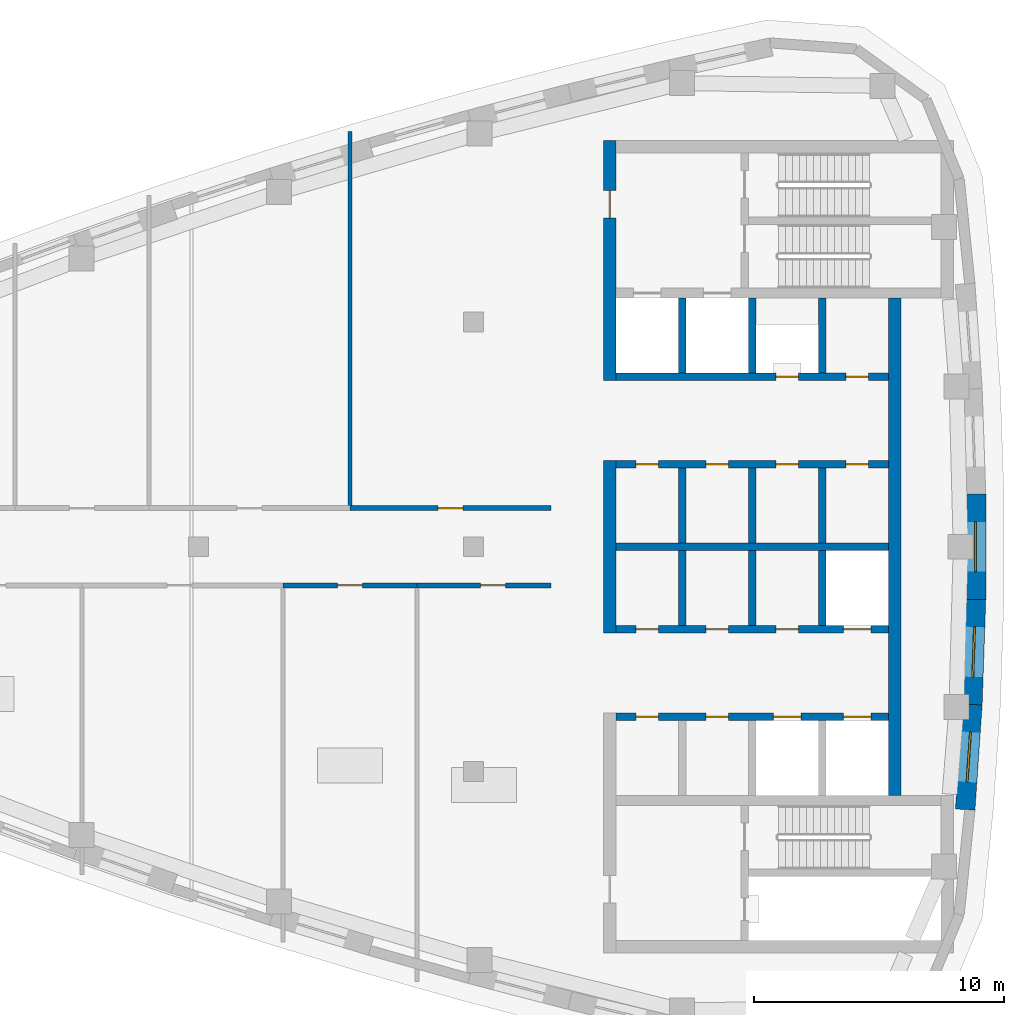
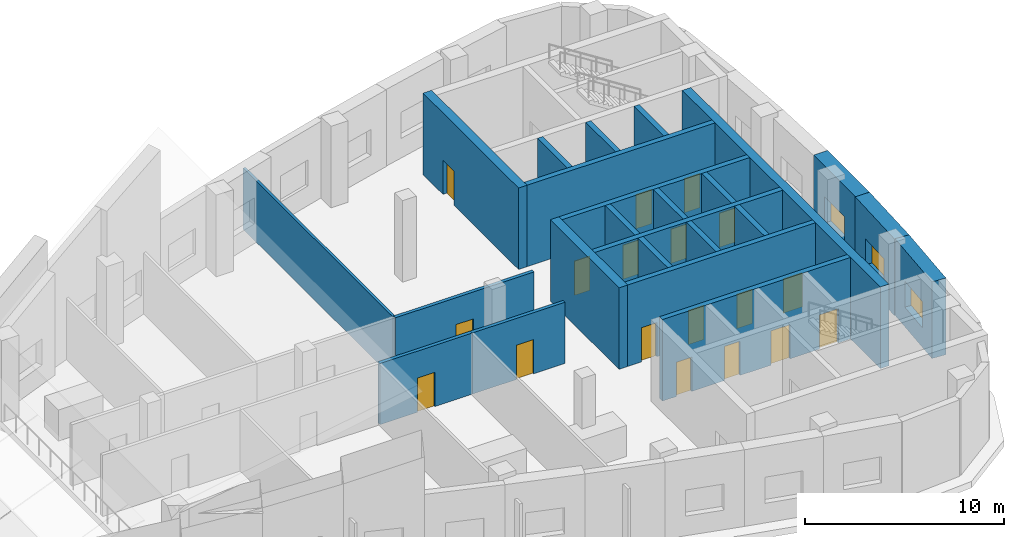
# One storey, part 3 of 8: 24 walls, 18 doors, 3 windows, 21 openings.
"""IFC4 building model written with IfcOpenShell, lengths in metres."""

from ifc_helpers import new_model, si_unit, direction, frame, frame_2d, origin, place, context, subcontext, project, spatial, rectangle, extrude, material, layer, layer_set, type_object, element, fill, save


model = new_model("IFC4")

# Units and contexts
model_context = context("Model", 3, precision=1e-05, world=origin(), true_north=direction((0.0, 1.0)))
body_context = subcontext(model_context, "Body", "Model", "MODEL_VIEW")
ifc_project = project(units=[si_unit("LENGTHUNIT", "METRE"), si_unit("AREAUNIT", "SQUARE_METRE"), si_unit("VOLUMEUNIT", "CUBIC_METRE"), si_unit("PLANEANGLEUNIT", "RADIAN"), si_unit("MASSUNIT", "GRAM", prefix="KILO")], contexts=[model_context])

# Site, building, storey
site_placement = place(None, origin())
site = spatial("IfcSite", under=ifc_project, at=site_placement, CompositionType="ELEMENT")
building_placement = place(site_placement, origin())
building = spatial("IfcBuilding", under=site, at=building_placement, Name="Ostrand Prow Hotel Tower", CompositionType="ELEMENT")
storey_placement = place(building_placement, frame((0.0, 0.0, 327.39990234375)))
storey = spatial("IfcBuildingStorey", under=building, at=storey_placement, Name="C5", CompositionType="ELEMENT", Elevation=327.39990234375)

# Wall
ifc_material_1 = material(Name="Concrete C40/50", Category="concrete")
ifc_layer_1 = layer(ifc_material_1, 0.300048828125)
ifc_layer_set_1 = layer_set([ifc_layer_1], Name="Concrete C40/50")
wall_type_1 = type_object("IfcWallType", Name="Core wall 300 C40/50", PredefinedType="SHEAR", material=ifc_layer_set_1)
wall_1_placement = place(storey_placement, frame((50.699951171875, 0.0, 0.0), z_axis=(0.0, 0.0, 1.0), x_axis=(1.0, 0.0, 0.0)))
element("IfcWall", 1, at=wall_1_placement, inside=storey, type_object=wall_type_1, Name="Core wall PW-C", PredefinedType="SHEAR", context=body_context, shape_type="SweptSolid", body=[
    extrude(rectangle(XDim=10.900146484375, YDim=0.300048828125, at=frame_2d((5.4501953125, 0.0))), origin(), (0.0, 0.0, 1.0), 5.0),
])

# Wall, openings, doors
wall_2_placement = place(storey_placement, frame((50.699951171875, 3.300048828125, 0.0), z_axis=(0.0, 0.0, 1.0), x_axis=(1.0, 0.0, 0.0)))
wall_2 = element("IfcWall", 2, at=wall_2_placement, inside=storey, type_object=wall_type_1, Name="Core wall PW-L1-N", PredefinedType="SHEAR", context=body_context, shape_type="SweptSolid", body=[
    extrude(rectangle(XDim=10.900146484375, YDim=0.300048828125, at=frame_2d((5.4501953125, 0.0))), origin(), (0.0, 0.0, 1.0), 5.0),
])
opening_1_placement = place(wall_2_placement, frame((0.800048828125, 0.0, 0.0)))
opening_1 = element("IfcOpeningElement", 3, at=opening_1_placement, cuts=wall_2, Name="Opening FD2", PredefinedType="OPENING", context=body_context, shape_type="SweptSolid", body=[
    extrude(rectangle(XDim=0.89990234375, YDim=2.10009765625, at=frame_2d((0.449951171875, 1.050048828125))), frame((0.0, 0.159912109375, 0.0), z_axis=(0.0, -1.0, 0.0), x_axis=(1.0, 0.0, 0.0)), (0.0, 0.0, 1.0), 0.320068359375),
])
opening_2_placement = place(wall_2_placement, frame((3.60009765625, 0.0, 0.0)))
opening_2 = element("IfcOpeningElement", 4, at=opening_2_placement, cuts=wall_2, Name="Opening FD2", PredefinedType="OPENING", context=body_context, shape_type="SweptSolid", body=[
    extrude(rectangle(XDim=0.89990234375, YDim=2.10009765625, at=frame_2d((0.449951171875, 1.050048828125))), frame((0.0, 0.159912109375, 0.0), z_axis=(0.0, -1.0, 0.0), x_axis=(1.0, 0.0, 0.0)), (0.0, 0.0, 1.0), 0.320068359375),
])
opening_3_placement = place(wall_2_placement, frame((6.39990234375, 0.0, 0.0)))
opening_3 = element("IfcOpeningElement", 5, at=opening_3_placement, cuts=wall_2, Name="Opening FD2", PredefinedType="OPENING", context=body_context, shape_type="SweptSolid", body=[
    extrude(rectangle(XDim=0.89990234375, YDim=2.10009765625, at=frame_2d((0.449951171875, 1.050048828125))), frame((0.0, 0.159912109375, 0.0), z_axis=(0.0, -1.0, 0.0), x_axis=(1.0, 0.0, 0.0)), (0.0, 0.0, 1.0), 0.320068359375),
])
opening_4_placement = place(wall_2_placement, frame((9.199951171875, 0.0, 0.0)))
opening_4 = element("IfcOpeningElement", 6, at=opening_4_placement, cuts=wall_2, Name="Opening FD2", PredefinedType="OPENING", context=body_context, shape_type="SweptSolid", body=[
    extrude(rectangle(XDim=0.89990234375, YDim=2.10009765625, at=frame_2d((0.449951171875, 1.050048828125))), frame((0.0, 0.159912109375, 0.0), z_axis=(0.0, -1.0, 0.0), x_axis=(1.0, 0.0, 0.0)), (0.0, 0.0, 1.0), 0.320068359375),
])
ifc_material_2 = material(Name="Steel fire door", Category="steel")
door_type_1 = type_object("IfcDoorType", Name="Fire door 900 EI120", OperationType="SINGLE_SWING_LEFT", PredefinedType="DOOR", material=ifc_material_2)
door_1_placement = place(opening_1_placement, origin())
door_1 = element("IfcDoor", 7, at=door_1_placement, inside=storey, type_object=door_type_1, Name="DOOR", OperationType="SINGLE_SWING_LEFT", OverallHeight=2.10009765625, OverallWidth=0.89990234375, PredefinedType="DOOR", context=body_context, shape_type="SweptSolid", body=[
    extrude(rectangle(XDim=0.89990234375, YDim=2.10009765625, at=frame_2d((0.449951171875, 1.050048828125))), frame((0.0, 0.02490234375, 0.0), z_axis=(0.0, -1.0, 0.0), x_axis=(1.0, 0.0, 0.0)), (0.0, 0.0, 1.0), 0.050048828125),
])
fill(opening_1, door_1)
door_2_placement = place(opening_2_placement, origin())
door_2 = element("IfcDoor", 8, at=door_2_placement, inside=storey, type_object=door_type_1, Name="DOOR", OperationType="SINGLE_SWING_LEFT", OverallHeight=2.10009765625, OverallWidth=0.89990234375, PredefinedType="DOOR", context=body_context, shape_type="SweptSolid", body=[
    extrude(rectangle(XDim=0.89990234375, YDim=2.10009765625, at=frame_2d((0.449951171875, 1.050048828125))), frame((0.0, 0.02490234375, 0.0), z_axis=(0.0, -1.0, 0.0), x_axis=(1.0, 0.0, 0.0)), (0.0, 0.0, 1.0), 0.050048828125),
])
fill(opening_2, door_2)
door_3_placement = place(opening_3_placement, origin())
door_3 = element("IfcDoor", 9, at=door_3_placement, inside=storey, type_object=door_type_1, Name="DOOR", OperationType="SINGLE_SWING_LEFT", OverallHeight=2.10009765625, OverallWidth=0.89990234375, PredefinedType="DOOR", context=body_context, shape_type="SweptSolid", body=[
    extrude(rectangle(XDim=0.89990234375, YDim=2.10009765625, at=frame_2d((0.449951171875, 1.050048828125))), frame((0.0, 0.02490234375, 0.0), z_axis=(0.0, -1.0, 0.0), x_axis=(1.0, 0.0, 0.0)), (0.0, 0.0, 1.0), 0.050048828125),
])
fill(opening_3, door_3)
door_4_placement = place(opening_4_placement, origin())
door_4 = element("IfcDoor", 10, at=door_4_placement, inside=storey, type_object=door_type_1, Name="DOOR", OperationType="SINGLE_SWING_LEFT", OverallHeight=2.10009765625, OverallWidth=0.89990234375, PredefinedType="DOOR", context=body_context, shape_type="SweptSolid", body=[
    extrude(rectangle(XDim=0.89990234375, YDim=2.10009765625, at=frame_2d((0.449951171875, 1.050048828125))), frame((0.0, 0.02490234375, 0.0), z_axis=(0.0, -1.0, 0.0), x_axis=(1.0, 0.0, 0.0)), (0.0, 0.0, 1.0), 0.050048828125),
])
fill(opening_4, door_4)

wall_3_placement = place(storey_placement, frame((50.699951171875, 6.800048828125, 0.0), z_axis=(0.0, 0.0, 1.0), x_axis=(1.0, 0.0, 0.0)))
wall_3 = element("IfcWall", 11, at=wall_3_placement, inside=storey, type_object=wall_type_1, Name="Core wall PW-L2-N", PredefinedType="SHEAR", context=body_context, shape_type="SweptSolid", body=[
    extrude(rectangle(XDim=10.900146484375, YDim=0.300048828125, at=frame_2d((5.4501953125, 0.0))), origin(), (0.0, 0.0, 1.0), 5.0),
])
opening_5_placement = place(wall_3_placement, frame((6.39990234375, 0.0, 0.0)))
opening_5 = element("IfcOpeningElement", 12, at=opening_5_placement, cuts=wall_3, Name="Opening FD2", PredefinedType="OPENING", context=body_context, shape_type="SweptSolid", body=[
    extrude(rectangle(XDim=0.89990234375, YDim=2.10009765625, at=frame_2d((0.449951171875, 1.050048828125))), frame((0.0, 0.159912109375, 0.0), z_axis=(0.0, -1.0, 0.0), x_axis=(1.0, 0.0, 0.0)), (0.0, 0.0, 1.0), 0.320068359375),
])
opening_6_placement = place(wall_3_placement, frame((9.199951171875, 0.0, 0.0)))
opening_6 = element("IfcOpeningElement", 13, at=opening_6_placement, cuts=wall_3, Name="Opening FD2", PredefinedType="OPENING", context=body_context, shape_type="SweptSolid", body=[
    extrude(rectangle(XDim=0.89990234375, YDim=2.10009765625, at=frame_2d((0.449951171875, 1.050048828125))), frame((0.0, 0.159912109375, 0.0), z_axis=(0.0, -1.0, 0.0), x_axis=(1.0, 0.0, 0.0)), (0.0, 0.0, 1.0), 0.320068359375),
])
door_5_placement = place(opening_5_placement, origin())
door_5 = element("IfcDoor", 14, at=door_5_placement, inside=storey, type_object=door_type_1, Name="DOOR", OperationType="SINGLE_SWING_LEFT", OverallHeight=2.10009765625, OverallWidth=0.89990234375, PredefinedType="DOOR", context=body_context, shape_type="SweptSolid", body=[
    extrude(rectangle(XDim=0.89990234375, YDim=2.10009765625, at=frame_2d((0.449951171875, 1.050048828125))), frame((0.0, 0.02490234375, 0.0), z_axis=(0.0, -1.0, 0.0), x_axis=(1.0, 0.0, 0.0)), (0.0, 0.0, 1.0), 0.050048828125),
])
fill(opening_5, door_5)
door_6_placement = place(opening_6_placement, origin())
door_6 = element("IfcDoor", 15, at=door_6_placement, inside=storey, type_object=door_type_1, Name="DOOR", OperationType="SINGLE_SWING_LEFT", OverallHeight=2.10009765625, OverallWidth=0.89990234375, PredefinedType="DOOR", context=body_context, shape_type="SweptSolid", body=[
    extrude(rectangle(XDim=0.89990234375, YDim=2.10009765625, at=frame_2d((0.449951171875, 1.050048828125))), frame((0.0, 0.02490234375, 0.0), z_axis=(0.0, -1.0, 0.0), x_axis=(1.0, 0.0, 0.0)), (0.0, 0.0, 1.0), 0.050048828125),
])
fill(opening_6, door_6)

# Walls
for number, where, z_axis, x_axis, name in (
    (16, (53.35009765625, 0.14990234375, 0.0), (0.0, 0.0, 1.0), (0.0, 1.0, 0.0), "Core wall PW-R1-NB"),
    (17, (53.35009765625, 6.949951171875, 0.0), (0.0, 0.0, 1.0), (0.0, 1.0, 0.0), "Core wall PW-R1-NA"),
    (18, (56.14990234375, 0.14990234375, 0.0), (0.0, 0.0, 1.0), (0.0, 1.0, 0.0), "Core wall PW-R2-NB"),
    (19, (56.14990234375, 6.949951171875, 0.0), (0.0, 0.0, 1.0), (0.0, 1.0, 0.0), "Core wall PW-R2-NA"),
    (20, (58.949951171875, 0.14990234375, 0.0), (0.0, 0.0, 1.0), (0.0, 1.0, 0.0), "Core wall PW-R3-NB"),
    (21, (58.949951171875, 6.949951171875, 0.0), (0.0, 0.0, 1.0), (0.0, 1.0, 0.0), "Core wall PW-R3-NA"),
):
    element("IfcWall", number, at=place(storey_placement, frame(where, z_axis=z_axis, x_axis=x_axis)), inside=storey, type_object=wall_type_1, Name=name, PredefinedType="SHEAR", context=body_context, shape_type="SweptSolid", body=[
        extrude(rectangle(XDim=3.0, YDim=0.300048828125, at=frame_2d((1.5, 0.0))), origin(), (0.0, 0.0, 1.0), 5.0),
    ])

# Wall, openings, doors
wall_4_placement = place(storey_placement, frame((50.699951171875, -3.300048828125, 0.0), z_axis=(0.0, 0.0, 1.0), x_axis=(1.0, 0.0, 0.0)))
wall_4 = element("IfcWall", 22, at=wall_4_placement, inside=storey, type_object=wall_type_1, Name="Core wall PW-L1-S", PredefinedType="SHEAR", context=body_context, shape_type="SweptSolid", body=[
    extrude(rectangle(XDim=10.900146484375, YDim=0.300048828125, at=frame_2d((5.4501953125, 0.0))), origin(), (0.0, 0.0, 1.0), 5.0),
])
opening_7_placement = place(wall_4_placement, frame((9.10009765625, 0.0, 0.0)))
opening_7 = element("IfcOpeningElement", 23, at=opening_7_placement, cuts=wall_4, Name="Opening LD", PredefinedType="OPENING", context=body_context, shape_type="SweptSolid", body=[
    extrude(rectangle(XDim=1.10009765625, YDim=2.10009765625, at=frame_2d((0.550048828125, 1.050048828125))), frame((0.0, 0.159912109375, 0.0), z_axis=(0.0, -1.0, 0.0), x_axis=(1.0, 0.0, 0.0)), (0.0, 0.0, 1.0), 0.320068359375),
])
opening_8_placement = place(wall_4_placement, frame((0.800048828125, 0.0, 0.0)))
opening_8 = element("IfcOpeningElement", 24, at=opening_8_placement, cuts=wall_4, Name="Opening FD2", PredefinedType="OPENING", context=body_context, shape_type="SweptSolid", body=[
    extrude(rectangle(XDim=0.89990234375, YDim=2.10009765625, at=frame_2d((0.449951171875, 1.050048828125))), frame((0.0, 0.159912109375, 0.0), z_axis=(0.0, -1.0, 0.0), x_axis=(1.0, 0.0, 0.0)), (0.0, 0.0, 1.0), 0.320068359375),
])
opening_9_placement = place(wall_4_placement, frame((3.60009765625, 0.0, 0.0)))
opening_9 = element("IfcOpeningElement", 25, at=opening_9_placement, cuts=wall_4, Name="Opening FD2", PredefinedType="OPENING", context=body_context, shape_type="SweptSolid", body=[
    extrude(rectangle(XDim=0.89990234375, YDim=2.10009765625, at=frame_2d((0.449951171875, 1.050048828125))), frame((0.0, 0.159912109375, 0.0), z_axis=(0.0, -1.0, 0.0), x_axis=(1.0, 0.0, 0.0)), (0.0, 0.0, 1.0), 0.320068359375),
])
opening_10_placement = place(wall_4_placement, frame((6.39990234375, 0.0, 0.0)))
opening_10 = element("IfcOpeningElement", 26, at=opening_10_placement, cuts=wall_4, Name="Opening FD2", PredefinedType="OPENING", context=body_context, shape_type="SweptSolid", body=[
    extrude(rectangle(XDim=0.89990234375, YDim=2.10009765625, at=frame_2d((0.449951171875, 1.050048828125))), frame((0.0, 0.159912109375, 0.0), z_axis=(0.0, -1.0, 0.0), x_axis=(1.0, 0.0, 0.0)), (0.0, 0.0, 1.0), 0.320068359375),
])
door_7_placement = place(opening_8_placement, origin())
door_7 = element("IfcDoor", 27, at=door_7_placement, inside=storey, type_object=door_type_1, Name="DOOR", OperationType="SINGLE_SWING_LEFT", OverallHeight=2.10009765625, OverallWidth=0.89990234375, PredefinedType="DOOR", context=body_context, shape_type="SweptSolid", body=[
    extrude(rectangle(XDim=0.89990234375, YDim=2.10009765625, at=frame_2d((0.449951171875, 1.050048828125))), frame((0.0, 0.02490234375, 0.0), z_axis=(0.0, -1.0, 0.0), x_axis=(1.0, 0.0, 0.0)), (0.0, 0.0, 1.0), 0.050048828125),
])
fill(opening_8, door_7)
door_8_placement = place(opening_9_placement, origin())
door_8 = element("IfcDoor", 28, at=door_8_placement, inside=storey, type_object=door_type_1, Name="DOOR", OperationType="SINGLE_SWING_LEFT", OverallHeight=2.10009765625, OverallWidth=0.89990234375, PredefinedType="DOOR", context=body_context, shape_type="SweptSolid", body=[
    extrude(rectangle(XDim=0.89990234375, YDim=2.10009765625, at=frame_2d((0.449951171875, 1.050048828125))), frame((0.0, 0.02490234375, 0.0), z_axis=(0.0, -1.0, 0.0), x_axis=(1.0, 0.0, 0.0)), (0.0, 0.0, 1.0), 0.050048828125),
])
fill(opening_9, door_8)
door_9_placement = place(opening_10_placement, origin())
door_9 = element("IfcDoor", 29, at=door_9_placement, inside=storey, type_object=door_type_1, Name="DOOR", OperationType="SINGLE_SWING_LEFT", OverallHeight=2.10009765625, OverallWidth=0.89990234375, PredefinedType="DOOR", context=body_context, shape_type="SweptSolid", body=[
    extrude(rectangle(XDim=0.89990234375, YDim=2.10009765625, at=frame_2d((0.449951171875, 1.050048828125))), frame((0.0, 0.02490234375, 0.0), z_axis=(0.0, -1.0, 0.0), x_axis=(1.0, 0.0, 0.0)), (0.0, 0.0, 1.0), 0.050048828125),
])
fill(opening_10, door_9)
ifc_material_3 = material(Name="Stainless steel door", Category="steel")
door_type_2 = type_object("IfcDoorType", Name="Lift landing door 1100", OperationType="DOUBLE_DOOR_SLIDING", PredefinedType="DOOR", material=ifc_material_3)
door_10_placement = place(opening_7_placement, origin())
door_10 = element("IfcDoor", 30, at=door_10_placement, inside=storey, type_object=door_type_2, Name="LIFT LANDING DOOR", OperationType="DOUBLE_DOOR_SLIDING", OverallHeight=2.10009765625, OverallWidth=1.10009765625, PredefinedType="DOOR", context=body_context, shape_type="SweptSolid", body=[
    extrude(rectangle(XDim=1.10009765625, YDim=2.10009765625, at=frame_2d((0.550048828125, 1.050048828125))), frame((0.0, 0.02490234375, 0.0), z_axis=(0.0, -1.0, 0.0), x_axis=(1.0, 0.0, 0.0)), (0.0, 0.0, 1.0), 0.050048828125),
])
fill(opening_7, door_10)

wall_5_placement = place(storey_placement, frame((50.699951171875, -6.800048828125, 0.0), z_axis=(0.0, 0.0, 1.0), x_axis=(1.0, 0.0, 0.0)))
wall_5 = element("IfcWall", 31, at=wall_5_placement, inside=storey, type_object=wall_type_1, Name="Core wall PW-L2-S", PredefinedType="SHEAR", context=body_context, shape_type="SweptSolid", body=[
    extrude(rectangle(XDim=10.900146484375, YDim=0.300048828125, at=frame_2d((5.4501953125, 0.0))), origin(), (0.0, 0.0, 1.0), 5.0),
])
opening_11_placement = place(wall_5_placement, frame((6.300048828125, 0.0, 0.0)))
opening_11 = element("IfcOpeningElement", 32, at=opening_11_placement, cuts=wall_5, Name="Opening LD", PredefinedType="OPENING", context=body_context, shape_type="SweptSolid", body=[
    extrude(rectangle(XDim=1.10009765625, YDim=2.10009765625, at=frame_2d((0.550048828125, 1.050048828125))), frame((0.0, 0.159912109375, 0.0), z_axis=(0.0, -1.0, 0.0), x_axis=(1.0, 0.0, 0.0)), (0.0, 0.0, 1.0), 0.320068359375),
])
opening_12_placement = place(wall_5_placement, frame((9.10009765625, 0.0, 0.0)))
opening_12 = element("IfcOpeningElement", 33, at=opening_12_placement, cuts=wall_5, Name="Opening LD", PredefinedType="OPENING", context=body_context, shape_type="SweptSolid", body=[
    extrude(rectangle(XDim=1.10009765625, YDim=2.10009765625, at=frame_2d((0.550048828125, 1.050048828125))), frame((0.0, 0.159912109375, 0.0), z_axis=(0.0, -1.0, 0.0), x_axis=(1.0, 0.0, 0.0)), (0.0, 0.0, 1.0), 0.320068359375),
])
opening_13_placement = place(wall_5_placement, frame((0.800048828125, 0.0, 0.0)))
opening_13 = element("IfcOpeningElement", 34, at=opening_13_placement, cuts=wall_5, Name="Opening FD2", PredefinedType="OPENING", context=body_context, shape_type="SweptSolid", body=[
    extrude(rectangle(XDim=0.89990234375, YDim=2.10009765625, at=frame_2d((0.449951171875, 1.050048828125))), frame((0.0, 0.159912109375, 0.0), z_axis=(0.0, -1.0, 0.0), x_axis=(1.0, 0.0, 0.0)), (0.0, 0.0, 1.0), 0.320068359375),
])
opening_14_placement = place(wall_5_placement, frame((3.60009765625, 0.0, 0.0)))
opening_14 = element("IfcOpeningElement", 35, at=opening_14_placement, cuts=wall_5, Name="Opening FD2", PredefinedType="OPENING", context=body_context, shape_type="SweptSolid", body=[
    extrude(rectangle(XDim=0.89990234375, YDim=2.10009765625, at=frame_2d((0.449951171875, 1.050048828125))), frame((0.0, 0.159912109375, 0.0), z_axis=(0.0, -1.0, 0.0), x_axis=(1.0, 0.0, 0.0)), (0.0, 0.0, 1.0), 0.320068359375),
])
door_11_placement = place(opening_13_placement, origin())
door_11 = element("IfcDoor", 36, at=door_11_placement, inside=storey, type_object=door_type_1, Name="DOOR", OperationType="SINGLE_SWING_LEFT", OverallHeight=2.10009765625, OverallWidth=0.89990234375, PredefinedType="DOOR", context=body_context, shape_type="SweptSolid", body=[
    extrude(rectangle(XDim=0.89990234375, YDim=2.10009765625, at=frame_2d((0.449951171875, 1.050048828125))), frame((0.0, 0.02490234375, 0.0), z_axis=(0.0, -1.0, 0.0), x_axis=(1.0, 0.0, 0.0)), (0.0, 0.0, 1.0), 0.050048828125),
])
fill(opening_13, door_11)
door_12_placement = place(opening_14_placement, origin())
door_12 = element("IfcDoor", 37, at=door_12_placement, inside=storey, type_object=door_type_1, Name="DOOR", OperationType="SINGLE_SWING_LEFT", OverallHeight=2.10009765625, OverallWidth=0.89990234375, PredefinedType="DOOR", context=body_context, shape_type="SweptSolid", body=[
    extrude(rectangle(XDim=0.89990234375, YDim=2.10009765625, at=frame_2d((0.449951171875, 1.050048828125))), frame((0.0, 0.02490234375, 0.0), z_axis=(0.0, -1.0, 0.0), x_axis=(1.0, 0.0, 0.0)), (0.0, 0.0, 1.0), 0.050048828125),
])
fill(opening_14, door_12)
door_13_placement = place(opening_11_placement, origin())
door_13 = element("IfcDoor", 38, at=door_13_placement, inside=storey, type_object=door_type_2, Name="LIFT LANDING DOOR", OperationType="DOUBLE_DOOR_SLIDING", OverallHeight=2.10009765625, OverallWidth=1.10009765625, PredefinedType="DOOR", context=body_context, shape_type="SweptSolid", body=[
    extrude(rectangle(XDim=1.10009765625, YDim=2.10009765625, at=frame_2d((0.550048828125, 1.050048828125))), frame((0.0, 0.02490234375, 0.0), z_axis=(0.0, -1.0, 0.0), x_axis=(1.0, 0.0, 0.0)), (0.0, 0.0, 1.0), 0.050048828125),
])
fill(opening_11, door_13)
door_14_placement = place(opening_12_placement, origin())
door_14 = element("IfcDoor", 39, at=door_14_placement, inside=storey, type_object=door_type_2, Name="LIFT LANDING DOOR", OperationType="DOUBLE_DOOR_SLIDING", OverallHeight=2.10009765625, OverallWidth=1.10009765625, PredefinedType="DOOR", context=body_context, shape_type="SweptSolid", body=[
    extrude(rectangle(XDim=1.10009765625, YDim=2.10009765625, at=frame_2d((0.550048828125, 1.050048828125))), frame((0.0, 0.02490234375, 0.0), z_axis=(0.0, -1.0, 0.0), x_axis=(1.0, 0.0, 0.0)), (0.0, 0.0, 1.0), 0.050048828125),
])
fill(opening_12, door_14)

# Walls
for number, where, z_axis, x_axis, name in (
    (40, (53.35009765625, -3.14990234375, 0.0), (0.0, 0.0, 1.0), (0.0, 1.0, 0.0), "Core wall PW-R1-SB"),
    (41, (56.14990234375, -3.14990234375, 0.0), (0.0, 0.0, 1.0), (0.0, 1.0, 0.0), "Core wall PW-R2-SB"),
    (42, (58.949951171875, -3.14990234375, 0.0), (0.0, 0.0, 1.0), (0.0, 1.0, 0.0), "Core wall PW-R3-SB"),
):
    element("IfcWall", number, at=place(storey_placement, frame(where, z_axis=z_axis, x_axis=x_axis)), inside=storey, type_object=wall_type_1, Name=name, PredefinedType="SHEAR", context=body_context, shape_type="SweptSolid", body=[
        extrude(rectangle(XDim=3.0, YDim=0.300048828125, at=frame_2d((1.5, 0.0))), origin(), (0.0, 0.0, 1.0), 5.0),
    ])

# Wall, opening, door
ifc_material_4 = material(Name="Concrete C40/50", Category="concrete")
ifc_layer_2 = layer(ifc_material_4, 0.5)
ifc_layer_set_2 = layer_set([ifc_layer_2], Name="Concrete C40/50")
wall_type_2 = type_object("IfcWallType", Name="Core wall 500 C40/50", PredefinedType="SHEAR", material=ifc_layer_set_2)
wall_6_placement = place(storey_placement, frame((50.449951171875, 6.64990234375, 0.0), z_axis=(0.0, 0.0, 1.0), x_axis=(0.0, 1.0, 0.0)))
wall_6 = element("IfcWall", 43, at=wall_6_placement, inside=storey, type_object=wall_type_2, Name="Core wall CW-W-N", PredefinedType="SHEAR", context=body_context, shape_type="SweptSolid", body=[
    extrude(rectangle(XDim=9.60009765625, YDim=0.5, at=frame_2d((4.800048828125, 0.0))), origin(), (0.0, 0.0, 1.0), 5.0),
])
opening_15_placement = place(wall_6_placement, frame((6.5, 0.0, 0.0)))
opening_15 = element("IfcOpeningElement", 44, at=opening_15_placement, cuts=wall_6, Name="Opening FD1", PredefinedType="OPENING", context=body_context, shape_type="SweptSolid", body=[
    extrude(rectangle(XDim=1.10009765625, YDim=2.10009765625, at=frame_2d((0.550048828125, 1.050048828125))), frame((0.0, 0.260009765625, 0.0), z_axis=(0.0, -1.0, 0.0), x_axis=(1.0, 0.0, 0.0)), (0.0, 0.0, 1.0), 0.52001953125),
])
ifc_material_5 = material(Name="Steel fire door", Category="steel")
door_type_3 = type_object("IfcDoorType", Name="Fire door 1100 EI120", OperationType="SINGLE_SWING_RIGHT", PredefinedType="DOOR", material=ifc_material_5)
door_15_placement = place(opening_15_placement, origin())
door_15 = element("IfcDoor", 45, at=door_15_placement, inside=storey, type_object=door_type_3, Name="FIRE DOOR", OperationType="SINGLE_SWING_RIGHT", OverallHeight=2.10009765625, OverallWidth=1.10009765625, PredefinedType="DOOR", context=body_context, shape_type="SweptSolid", body=[
    extrude(rectangle(XDim=1.10009765625, YDim=2.10009765625, at=frame_2d((0.550048828125, 1.050048828125))), frame((0.0, 0.02490234375, 0.0), z_axis=(0.0, -1.0, 0.0), x_axis=(1.0, 0.0, 0.0)), (0.0, 0.0, 1.0), 0.050048828125),
])
fill(opening_15, door_15)

# Walls
wall_7_placement = place(storey_placement, frame((50.449951171875, -3.449951171875, 0.0), z_axis=(0.0, 0.0, 1.0), x_axis=(0.0, 1.0, 0.0)))
element("IfcWall", 46, at=wall_7_placement, inside=storey, type_object=wall_type_2, Name="Core wall CW-W-C", PredefinedType="SHEAR", context=body_context, shape_type="SweptSolid", body=[
    extrude(rectangle(XDim=6.89990234375, YDim=0.5, at=frame_2d((3.449951171875, 0.0))), origin(), (0.0, 0.0, 1.0), 5.0),
])
wall_8_placement = place(storey_placement, frame((61.85009765625, -9.949951171875, 0.0), z_axis=(0.0, 0.0, 1.0), x_axis=(0.0, 1.0, 0.0)))
element("IfcWall", 47, at=wall_8_placement, inside=storey, type_object=wall_type_2, Name="Core wall CW-E-C", PredefinedType="SHEAR", context=body_context, shape_type="SweptSolid", body=[
    extrude(rectangle(XDim=19.89990234375, YDim=0.5, at=frame_2d((9.949951171875, 0.0))), origin(), (0.0, 0.0, 1.0), 5.0),
])
ifc_material_6 = material(Name="Plasterboard partition")
ifc_layer_3 = layer(ifc_material_6, 0.14990234375)
ifc_layer_set_3 = layer_set([ifc_layer_3], Name="Plasterboard partition")
wall_type_3 = type_object("IfcWallType", Name="Partition 150 room partition", PredefinedType="PARTITIONING", material=ifc_layer_set_3)
wall_9_placement = place(storey_placement, frame((40.05615234375, 1.542724609375, 0.0), z_axis=(0.0, 0.0, 1.0), x_axis=(0.0, 1.0, 0.0)))
element("IfcWall", 48, at=wall_9_placement, inside=storey, type_object=wall_type_3, Name="ROOM PARTITION", PredefinedType="PARTITIONING", context=body_context, shape_type="SweptSolid", body=[
    extrude(rectangle(XDim=15.081787109375, YDim=0.14990234375, at=frame_2d((7.541015625, 0.0))), origin(), (0.0, 0.0, 1.0), 3.75),
])

# Wall, opening, door
ifc_material_7 = material(Name="Plasterboard partition")
ifc_layer_4 = layer(ifc_material_7, 0.199951171875)
ifc_layer_set_4 = layer_set([ifc_layer_4], Name="Plasterboard partition")
wall_type_4 = type_object("IfcWallType", Name="Partition 200 corridor wall", PredefinedType="PARTITIONING", material=ifc_layer_set_4)
wall_10_placement = place(storey_placement, frame((37.375, -1.542724609375, 0.0), z_axis=(0.0, 0.0, 1.0), x_axis=(1.0, 0.0, 0.0)))
wall_10 = element("IfcWall", 49, at=wall_10_placement, inside=storey, type_object=wall_type_4, Name="CORRIDOR WALL", PredefinedType="PARTITIONING", context=body_context, shape_type="SweptSolid", body=[
    extrude(rectangle(XDim=5.3623046875, YDim=0.199951171875, at=frame_2d((2.68115234375, 0.0))), origin(), (0.0, 0.0, 1.0), 3.75),
])
opening_16_placement = place(wall_10_placement, frame((2.181396484375, 0.0, 0.0)))
opening_16 = element("IfcOpeningElement", 50, at=opening_16_placement, cuts=wall_10, Name="Opening D1", PredefinedType="OPENING", context=body_context, shape_type="SweptSolid", body=[
    extrude(rectangle(XDim=1.0, YDim=2.10009765625, at=frame_2d((0.5, 1.050048828125))), frame((0.0, 0.10986328125, 0.0), z_axis=(0.0, -1.0, 0.0), x_axis=(1.0, 0.0, 0.0)), (0.0, 0.0, 1.0), 0.219970703125),
])
ifc_material_8 = material(Name="Timber door leaf", Category="wood")
door_type_4 = type_object("IfcDoorType", Name="Guest room door 1000", OperationType="SINGLE_SWING_LEFT", PredefinedType="DOOR", material=ifc_material_8)
door_16_placement = place(opening_16_placement, origin())
door_16 = element("IfcDoor", 51, at=door_16_placement, inside=storey, type_object=door_type_4, Name="DOOR", OperationType="SINGLE_SWING_LEFT", OverallHeight=2.10009765625, OverallWidth=1.0, PredefinedType="DOOR", context=body_context, shape_type="SweptSolid", body=[
    extrude(rectangle(XDim=1.0, YDim=2.10009765625, at=frame_2d((0.5, 1.050048828125))), frame((0.0, 0.02490234375, 0.0), z_axis=(0.0, -1.0, 0.0), x_axis=(1.0, 0.0, 0.0)), (0.0, 0.0, 1.0), 0.050048828125),
])
fill(opening_16, door_16)

wall_11_placement = place(storey_placement, frame((42.7373046875, -1.542724609375, 0.0), z_axis=(0.0, 0.0, 1.0), x_axis=(1.0, 0.0, 0.0)))
wall_11 = element("IfcWall", 52, at=wall_11_placement, inside=storey, type_object=wall_type_4, Name="CORRIDOR WALL", PredefinedType="PARTITIONING", context=body_context, shape_type="SweptSolid", body=[
    extrude(rectangle(XDim=5.36279296875, YDim=0.199951171875, at=frame_2d((2.681396484375, 0.0))), origin(), (0.0, 0.0, 1.0), 3.75),
])
opening_17_placement = place(wall_11_placement, frame((2.550048828125, 0.0, 0.0)))
opening_17 = element("IfcOpeningElement", 53, at=opening_17_placement, cuts=wall_11, Name="Opening D1R", PredefinedType="OPENING", context=body_context, shape_type="SweptSolid", body=[
    extrude(rectangle(XDim=1.0, YDim=2.10009765625, at=frame_2d((0.5, 1.050048828125))), frame((0.0, 0.10986328125, 0.0), z_axis=(0.0, -1.0, 0.0), x_axis=(1.0, 0.0, 0.0)), (0.0, 0.0, 1.0), 0.219970703125),
])
ifc_material_9 = material(Name="Timber door leaf", Category="wood")
door_type_5 = type_object("IfcDoorType", Name="Guest room door 1000 right", OperationType="SINGLE_SWING_RIGHT", PredefinedType="DOOR", material=ifc_material_9)
door_17_placement = place(opening_17_placement, origin())
door_17 = element("IfcDoor", 54, at=door_17_placement, inside=storey, type_object=door_type_5, Name="DOOR", OperationType="SINGLE_SWING_RIGHT", OverallHeight=2.10009765625, OverallWidth=1.0, PredefinedType="DOOR", context=body_context, shape_type="SweptSolid", body=[
    extrude(rectangle(XDim=1.0, YDim=2.10009765625, at=frame_2d((0.5, 1.050048828125))), frame((0.0, 0.02490234375, 0.0), z_axis=(0.0, -1.0, 0.0), x_axis=(1.0, 0.0, 0.0)), (0.0, 0.0, 1.0), 0.050048828125),
])
fill(opening_17, door_17)

wall_12_placement = place(storey_placement, frame((40.05615234375, 1.542724609375, 0.0), z_axis=(0.0, 0.0, 1.0), x_axis=(1.0, 0.0, 0.0)))
wall_12 = element("IfcWall", 55, at=wall_12_placement, inside=storey, type_object=wall_type_4, Name="CORRIDOR WALL", PredefinedType="PARTITIONING", context=body_context, shape_type="SweptSolid", body=[
    extrude(rectangle(XDim=8.0439453125, YDim=0.199951171875, at=frame_2d((4.02197265625, 0.0))), origin(), (0.0, 0.0, 1.0), 3.75),
])
opening_18_placement = place(wall_12_placement, frame((3.52197265625, 0.0, 0.0)))
opening_18 = element("IfcOpeningElement", 56, at=opening_18_placement, cuts=wall_12, Name="Opening D1R", PredefinedType="OPENING", context=body_context, shape_type="SweptSolid", body=[
    extrude(rectangle(XDim=1.0, YDim=2.10009765625, at=frame_2d((0.5, 1.050048828125))), frame((0.0, 0.10986328125, 0.0), z_axis=(0.0, -1.0, 0.0), x_axis=(1.0, 0.0, 0.0)), (0.0, 0.0, 1.0), 0.219970703125),
])
door_18_placement = place(opening_18_placement, origin())
door_18 = element("IfcDoor", 57, at=door_18_placement, inside=storey, type_object=door_type_5, Name="DOOR", OperationType="SINGLE_SWING_RIGHT", OverallHeight=2.10009765625, OverallWidth=1.0, PredefinedType="DOOR", context=body_context, shape_type="SweptSolid", body=[
    extrude(rectangle(XDim=1.0, YDim=2.10009765625, at=frame_2d((0.5, 1.050048828125))), frame((0.0, 0.02490234375, 0.0), z_axis=(0.0, -1.0, 0.0), x_axis=(1.0, 0.0, 0.0)), (0.0, 0.0, 1.0), 0.050048828125),
])
fill(opening_18, door_18)

# Wall, opening, window
ifc_material_10 = material(Name="Precast concrete C40/50", Category="concrete")
ifc_layer_5 = layer(ifc_material_10, 0.39990234375)
ifc_layer_set_5 = layer_set([ifc_layer_5], Name="Precast concrete C40/50")
wall_type_5 = type_object("IfcWallType", Name="Stone-faced precast wall 400 mm", PredefinedType="NOTDEFINED", material=ifc_layer_set_5)
wall_13_placement = place(storey_placement, frame((64.67822265625, -10.518798828125, 0.0), z_axis=(0.0, 0.0, 1.0), x_axis=(0.068243871044, 0.997668669481, 0.0)))
wall_13 = element("IfcWall", 58, at=wall_13_placement, inside=storey, type_object=wall_type_5, Name="Crown side wall C5 20", PredefinedType="NOTDEFINED", context=body_context, shape_type="SweptSolid", body=[
    extrude(rectangle(XDim=4.2177734375, YDim=0.784912109375, at=frame_2d((2.10888671875, 0.0))), origin(), (0.0, 0.0, 1.0), 4.7001953125),
])
opening_19_placement = place(wall_13_placement, frame((1.10888671875, 0.0, 1.199951171875)))
opening_19 = element("IfcOpeningElement", 59, at=opening_19_placement, cuts=wall_13, Name="Opening WV1", PredefinedType="OPENING", context=body_context, shape_type="SweptSolid", body=[
    extrude(rectangle(XDim=2.0, YDim=1.60009765625, at=frame_2d((1.0, 0.800048828125))), frame((0.0, 0.40234375, 0.0), z_axis=(0.0, -1.0, 0.0), x_axis=(1.0, 0.0, 0.0)), (0.0, 0.0, 1.0), 0.804931640625),
])
ifc_material_11 = material(Name="Bronze anodised aluminium louvre", Category="aluminium")
window_type = type_object("IfcWindowType", Name="Louvre vent 2000x1600", PartitioningType="SINGLE_PANEL", PredefinedType="WINDOW", material=ifc_material_11)
window_1_placement = place(opening_19_placement, origin())
window_1 = element("IfcWindow", 60, at=window_1_placement, inside=storey, type_object=window_type, Name="Louvre vent 20.1", OverallHeight=1.60009765625, OverallWidth=2.0, PartitioningType="SINGLE_PANEL", PredefinedType="WINDOW", context=body_context, shape_type="SweptSolid", body=[
    extrude(rectangle(XDim=2.0, YDim=1.60009765625, at=frame_2d((1.0, 0.800048828125))), frame((0.0, 0.030029296875, 0.0), z_axis=(0.0, -1.0, 0.0), x_axis=(1.0, 0.0, 0.0)), (0.0, 0.0, 1.0), 0.06005859375),
])
fill(opening_19, window_1)

wall_14_placement = place(storey_placement, frame((64.945556640625, -6.31689453125, 0.0), z_axis=(0.0, 0.0, 1.0), x_axis=(0.034151270612, 0.999416675224, 0.0)))
wall_14 = element("IfcWall", 61, at=wall_14_placement, inside=storey, type_object=wall_type_5, Name="Crown side wall C5 21", PredefinedType="NOTDEFINED", context=body_context, shape_type="SweptSolid", body=[
    extrude(rectangle(XDim=4.2177734375, YDim=0.825439453125, at=frame_2d((2.10888671875, 0.0))), origin(), (0.0, 0.0, 1.0), 4.7001953125),
])
opening_20_placement = place(wall_14_placement, frame((1.10888671875, 0.0, 1.199951171875)))
opening_20 = element("IfcOpeningElement", 62, at=opening_20_placement, cuts=wall_14, Name="Opening WV1", PredefinedType="OPENING", context=body_context, shape_type="SweptSolid", body=[
    extrude(rectangle(XDim=2.0, YDim=1.60009765625, at=frame_2d((1.0, 0.800048828125))), frame((0.0, 0.422607421875, 0.0), z_axis=(0.0, -1.0, 0.0), x_axis=(1.0, 0.0, 0.0)), (0.0, 0.0, 1.0), 0.845458984375),
])
window_2_placement = place(opening_20_placement, origin())
window_2 = element("IfcWindow", 63, at=window_2_placement, inside=storey, type_object=window_type, Name="Louvre vent 21.1", OverallHeight=1.60009765625, OverallWidth=2.0, PartitioningType="SINGLE_PANEL", PredefinedType="WINDOW", context=body_context, shape_type="SweptSolid", body=[
    extrude(rectangle(XDim=2.0, YDim=1.60009765625, at=frame_2d((1.0, 0.800048828125))), frame((0.0, 0.030029296875, 0.0), z_axis=(0.0, -1.0, 0.0), x_axis=(1.0, 0.0, 0.0)), (0.0, 0.0, 1.0), 0.06005859375),
])
fill(opening_20, window_2)

wall_15_placement = place(storey_placement, frame((65.10107421875, -2.10888671875, 0.0), z_axis=(0.0, 0.0, 1.0), x_axis=(0.0, 1.0, 0.0)))
wall_15 = element("IfcWall", 64, at=wall_15_placement, inside=storey, type_object=wall_type_5, Name="Crown side wall C5 22", PredefinedType="NOTDEFINED", context=body_context, shape_type="SweptSolid", body=[
    extrude(rectangle(XDim=4.2177734375, YDim=0.802001953125, at=frame_2d((2.10888671875, 0.0))), origin(), (0.0, 0.0, 1.0), 4.7001953125),
])
opening_21_placement = place(wall_15_placement, frame((1.10888671875, 0.0, 1.199951171875)))
opening_21 = element("IfcOpeningElement", 65, at=opening_21_placement, cuts=wall_15, Name="Opening WV1", PredefinedType="OPENING", context=body_context, shape_type="SweptSolid", body=[
    extrude(rectangle(XDim=2.0, YDim=1.60009765625, at=frame_2d((1.0, 0.800048828125))), frame((0.0, 0.410888671875, 0.0), z_axis=(0.0, -1.0, 0.0), x_axis=(1.0, 0.0, 0.0)), (0.0, 0.0, 1.0), 0.822021484375),
])
window_3_placement = place(opening_21_placement, origin())
window_3 = element("IfcWindow", 66, at=window_3_placement, inside=storey, type_object=window_type, Name="Louvre vent 22.1", OverallHeight=1.60009765625, OverallWidth=2.0, PartitioningType="SINGLE_PANEL", PredefinedType="WINDOW", context=body_context, shape_type="SweptSolid", body=[
    extrude(rectangle(XDim=2.0, YDim=1.60009765625, at=frame_2d((1.0, 0.800048828125))), frame((0.0, 0.030029296875, 0.0), z_axis=(0.0, -1.0, 0.0), x_axis=(1.0, 0.0, 0.0)), (0.0, 0.0, 1.0), 0.06005859375),
])
fill(opening_21, window_3)

save(model, "model.ifc")
